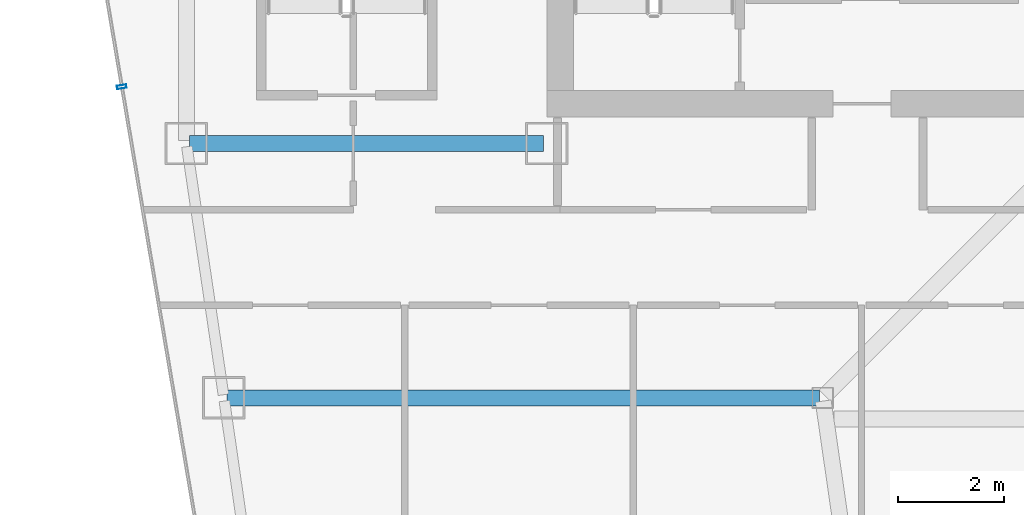
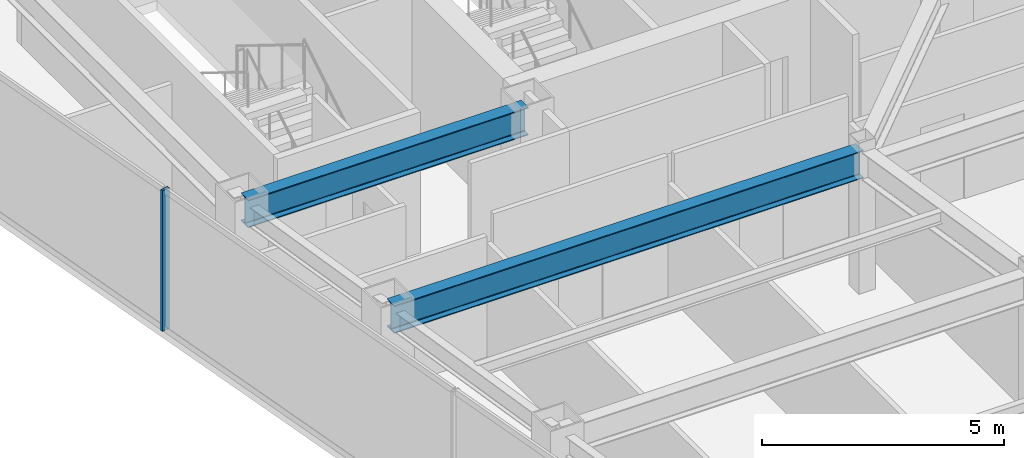
# One storey, part 11 of 35: 2 beams, 1 member, 1 element without a shape of its own.
"""IFC4 building model written with IfcOpenShell, lengths in metres."""

from ifc_helpers import new_model, si_unit, direction, frame, origin, origin_2d, place, context, subcontext, project, spatial, hollow_rectangle, i_section, extrude, material, material_profile, profile_set, type_object, element, aggregate, save


model = new_model("IFC4")

# Units and contexts
model_context = context("Model", 3, precision=1e-05, world=origin(), true_north=direction((0.0, 1.0)))
body_context = subcontext(model_context, "Body", "Model", "MODEL_VIEW")
ifc_project = project(units=[si_unit("LENGTHUNIT", "METRE"), si_unit("AREAUNIT", "SQUARE_METRE"), si_unit("VOLUMEUNIT", "CUBIC_METRE"), si_unit("PLANEANGLEUNIT", "RADIAN"), si_unit("MASSUNIT", "GRAM", prefix="KILO")], contexts=[model_context])

# Site, building, storey
site_placement = place(None, origin())
site = spatial("IfcSite", under=ifc_project, at=site_placement, CompositionType="ELEMENT")
building_placement = place(site_placement, origin())
building = spatial("IfcBuilding", under=site, at=building_placement, Name="Saevonmaru Cultural Tower", CompositionType="ELEMENT")
storey_placement = place(building_placement, frame((0.0, 0.0, 194.199951171875)))
storey = spatial("IfcBuildingStorey", under=building, at=storey_placement, Name="L44", CompositionType="ELEMENT", Elevation=194.199951171875)

# Beams
ifc_material_1 = material(Name="Steel SM355", Category="steel")
ifc_material_profile_1 = material_profile(ifc_material_1, i_section(OverallWidth=0.300048828125, OverallDepth=0.699951171875, WebThickness=0.012939453125, FlangeThickness=0.02392578125, FilletRadius=0.02587890625, at=origin_2d()), Name="H-700x300x13x24")
ifc_profile_set_1 = profile_set([ifc_material_profile_1], Name="Steel SM355")
beam_type = type_object("IfcBeamType", Name="BM-G-H700", PredefinedType="BEAM", material=ifc_profile_set_1)
beam_1_placement = place(storey_placement, frame((6.860107421875, 42.39990234375, 3.199951171875), z_axis=(1.0, 0.0, 0.0), x_axis=(0.0, 1.0, 0.0)))
element("IfcBeam", 1, at=beam_1_placement, inside=storey, type_object=beam_type, Name="L44 Core South Girder 1", PredefinedType="BEAM", context=body_context, shape_type="SweptSolid", body=[
    extrude(i_section(OverallWidth=0.300048828125, OverallDepth=0.699951171875, WebThickness=0.012939453125, FlangeThickness=0.02392578125, FilletRadius=0.02587890625, at=origin_2d()), origin(), (0.0, 0.0, 1.0), 6.679931640625),
])
beam_2_placement = place(storey_placement, frame((7.568115234375, 37.60009765625, 3.199951171875), z_axis=(1.0, 0.0, 0.0), x_axis=(0.0, 1.0, 0.0)))
element("IfcBeam", 2, at=beam_2_placement, inside=storey, type_object=beam_type, Name="L44 West Wing Transverse Girder 4", PredefinedType="BEAM", context=body_context, shape_type="SweptSolid", body=[
    extrude(i_section(OverallWidth=0.300048828125, OverallDepth=0.699951171875, WebThickness=0.012939453125, FlangeThickness=0.02392578125, FilletRadius=0.02587890625, at=origin_2d()), origin(), (0.0, 0.0, 1.0), 11.179931640625),
])

# Curtain wall, member
ifc_material_2 = material(Name="Satin Bronze Anodised Aluminium", Category="aluminium")
curtain_wall_type = type_object("IfcCurtainWallType", Name="CW-TYP-B", PredefinedType="NOTDEFINED", material=ifc_material_2)
curtain_wall_placement = place(storey_placement, origin())
curtain_wall = element("IfcCurtainWall", 3, at=curtain_wall_placement, inside=storey, type_object=curtain_wall_type, Name="L44 Unitised Curtain Wall E12", PredefinedType="NOTDEFINED")
ifc_material_profile_2 = material_profile(ifc_material_2, hollow_rectangle(XDim=0.06494140625, YDim=0.179931640625, WallThickness=0.00390625, at=origin_2d()), Name="ALU-MULL-180x65x4")
ifc_profile_set_2 = profile_set([ifc_material_profile_2], Name="Satin Bronze Anodised Aluminium")
member_type = type_object("IfcMemberType", Name="ML-CW-180x65", PredefinedType="MULLION", material=ifc_profile_set_2)
member_placement = place(storey_placement, frame((5.579345703125, 43.470458984375, 0.0), z_axis=(0.0, 0.0, 1.0), x_axis=(0.16692169721, -0.985970155228, 0.0)))
member = element("IfcMember", 4, at=member_placement, type_object=member_type, Name="CW-TW-L44-E12 mullion 2", PredefinedType="MULLION", context=body_context, shape_type="SweptSolid", body=[
    extrude(hollow_rectangle(XDim=0.06494140625, YDim=0.179931640625, WallThickness=0.00390625, at=origin_2d()), origin(), (0.0, 0.0, 1.0), 3.550048828125),
])
aggregate(curtain_wall, [member])

save(model, "model.ifc")
